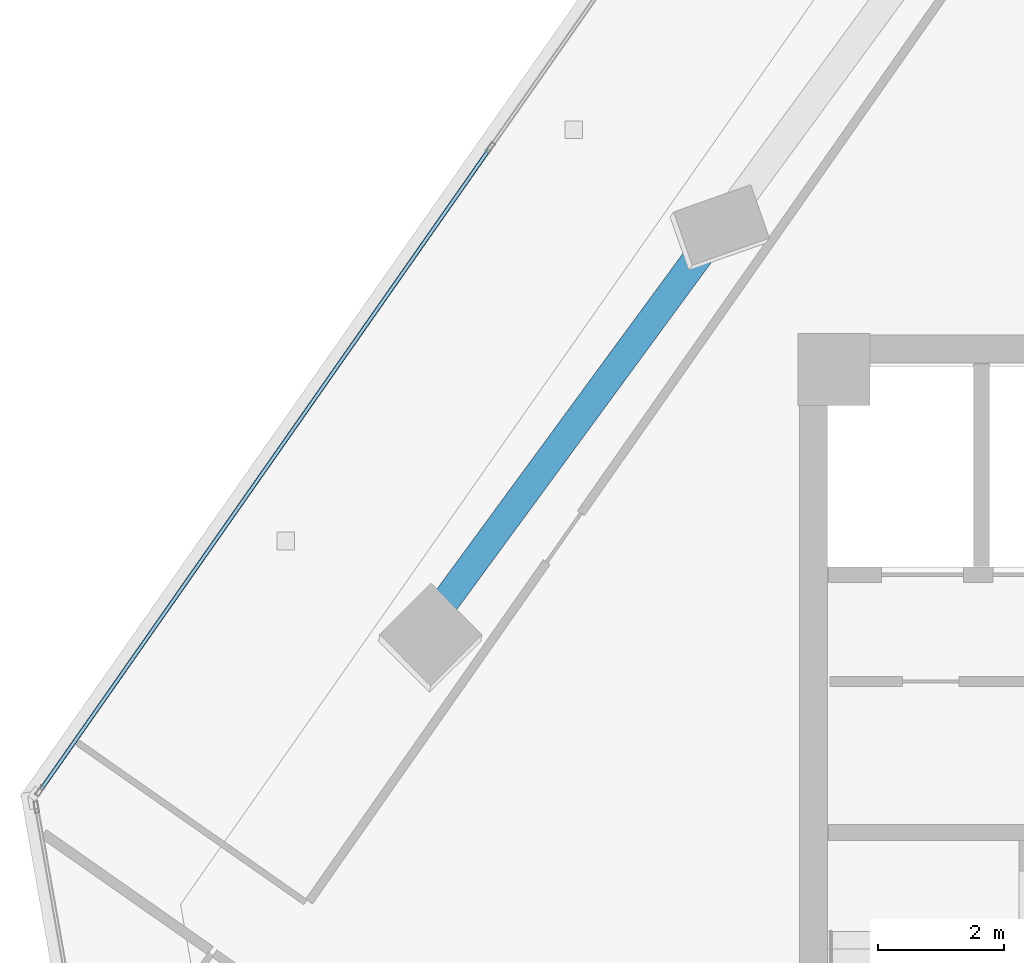
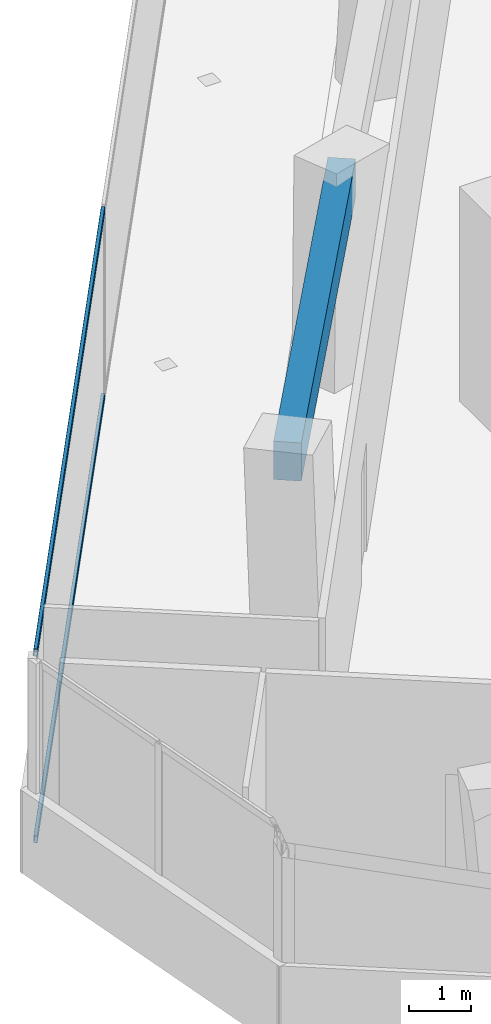
# One storey, part 8 of 22: 2 members, 1 beam, 1 element without a shape of its own.
"""IFC4 building model written with IfcOpenShell, lengths in metres."""

from ifc_helpers import new_model, si_unit, direction, frame, origin, origin_2d, place, context, subcontext, project, spatial, rectangle, hollow_rectangle, extrude, source, transform, mapped, material, material_profile, profile_set, type_object, element, aggregate, save


model = new_model("IFC4")

# Units and contexts
model_context = context("Model", 3, precision=1e-05, world=origin(), true_north=direction((0.0, 1.0)))
body_context = subcontext(model_context, "Body", "Model", "MODEL_VIEW")
ifc_project = project(units=[si_unit("LENGTHUNIT", "METRE"), si_unit("AREAUNIT", "SQUARE_METRE"), si_unit("VOLUMEUNIT", "CUBIC_METRE"), si_unit("PLANEANGLEUNIT", "RADIAN"), si_unit("MASSUNIT", "GRAM", prefix="KILO")], contexts=[model_context])

# Site, building, storey
site_placement = place(None, origin())
site = spatial("IfcSite", under=ifc_project, at=site_placement, CompositionType="ELEMENT")
building_placement = place(site_placement, origin())
building = spatial("IfcBuilding", under=site, at=building_placement, Name="Torre Montelarca", CompositionType="ELEMENT")
storey_placement = place(building_placement, frame((0.0, 0.0, 196.0)))
storey = spatial("IfcBuildingStorey", under=building, at=storey_placement, Name="L44", CompositionType="ELEMENT", Elevation=196.0)

# Beam
ifc_material_1 = material(Name="Concrete C55/67", Category="concrete")
ifc_material_profile_1 = material_profile(ifc_material_1, rectangle(XDim=0.449951171875, YDim=0.75, at=origin_2d()), Name="RCB450X750", Category="concrete")
ifc_profile_set_1 = profile_set([ifc_material_profile_1], Name="Concrete C55/67")
beam_type = type_object("IfcBeamType", Name="BM-SP-RC750-EXT", PredefinedType="SPANDREL", material=ifc_profile_set_1)
shared_shape_1 = source(origin(), body_context, "Body", "SweptSolid", [
    extrude(rectangle(XDim=0.449951171875, YDim=0.75, at=origin_2d()), origin(), (0.0, 0.0, 1.0), 8.0),
])
beam_placement = place(storey_placement, frame((3.180908203125, 35.511962890625, 3.5849609375), z_axis=(0.591302803785, 0.806449622875, 0.0), x_axis=(-0.806449622875, 0.591302803785, 0.0)))
element("IfcBeam", 1, at=beam_placement, inside=storey, type_object=beam_type, Name="L44 Grid Girder Y 24.0-32.0 at X=4.7", PredefinedType="SPANDREL", context=body_context, shape_type="MappedRepresentation", body=[
    mapped(shared_shape_1, transform((0.0, 0.0, 0.0), scale=1.0)),
])

# Curtain wall, members
ifc_material_2 = material(Name="Insulated low-E laminated glass", Category="glass")
curtain_wall_type = type_object("IfcCurtainWallType", Name="CW-SYS-Z2", PredefinedType="USERDEFINED", material=ifc_material_2)
curtain_wall_placement = place(storey_placement, origin())
curtain_wall = element("IfcCurtainWall", 2, at=curtain_wall_placement, inside=storey, type_object=curtain_wall_type, Name="L44 Curtain Wall Run CW-T3-L44-E10-B1", ObjectType="UNITISED GLAZING", PredefinedType="USERDEFINED")
ifc_material_3 = material(Name="Anodised aluminium AA 6063-T6", Category="aluminium")
ifc_material_profile_2 = material_profile(ifc_material_3, hollow_rectangle(XDim=0.06494140625, YDim=0.139892578125, WallThickness=0.00390625, InnerFilletRadius=0.00390625, OuterFilletRadius=0.008056640625, at=origin_2d()), Name="ALU65X140X4", Category="aluminium")
ifc_profile_set_2 = profile_set([ifc_material_profile_2], Name="Anodised aluminium AA 6063-T6")
member_type = type_object("IfcMemberType", Name="CWT-ALU140", PredefinedType="USERDEFINED", material=ifc_profile_set_2)
shared_shape_2 = source(origin(), body_context, "Body", "SweptSolid", [
    extrude(hollow_rectangle(XDim=0.06494140625, YDim=0.139892578125, WallThickness=0.00390625, InnerFilletRadius=0.00390625, OuterFilletRadius=0.008056640625, at=origin_2d()), origin(), (0.0, 0.0, 1.0), 12.4365234375),
])
member_1_placement = place(storey_placement, frame((4.057861328125, 42.95263671875, 0.032470703125), z_axis=(-0.573573009469, -0.819154443807, 0.0), x_axis=(0.819154443807, -0.573573009469, 0.0)))
member_1 = element("IfcMember", 3, at=member_1_placement, type_object=member_type, Name="CW transom 2.1", ObjectType="TRANSOM", PredefinedType="USERDEFINED", context=body_context, shape_type="MappedRepresentation", body=[
    mapped(shared_shape_2, transform((0.0, 0.0, 0.0), scale=1.0)),
])
member_2_placement = place(storey_placement, frame((4.057861328125, 42.95263671875, 3.6875), z_axis=(-0.573573009469, -0.819154443807, 0.0), x_axis=(0.819154443807, -0.573573009469, 0.0)))
member_2 = element("IfcMember", 4, at=member_2_placement, type_object=member_type, Name="CW transom 2.2", ObjectType="TRANSOM", PredefinedType="USERDEFINED", context=body_context, shape_type="MappedRepresentation", body=[
    mapped(shared_shape_2, transform((0.0, 0.0, 0.0), scale=1.0)),
])
aggregate(curtain_wall, [member_1, member_2])

save(model, "model.ifc")
